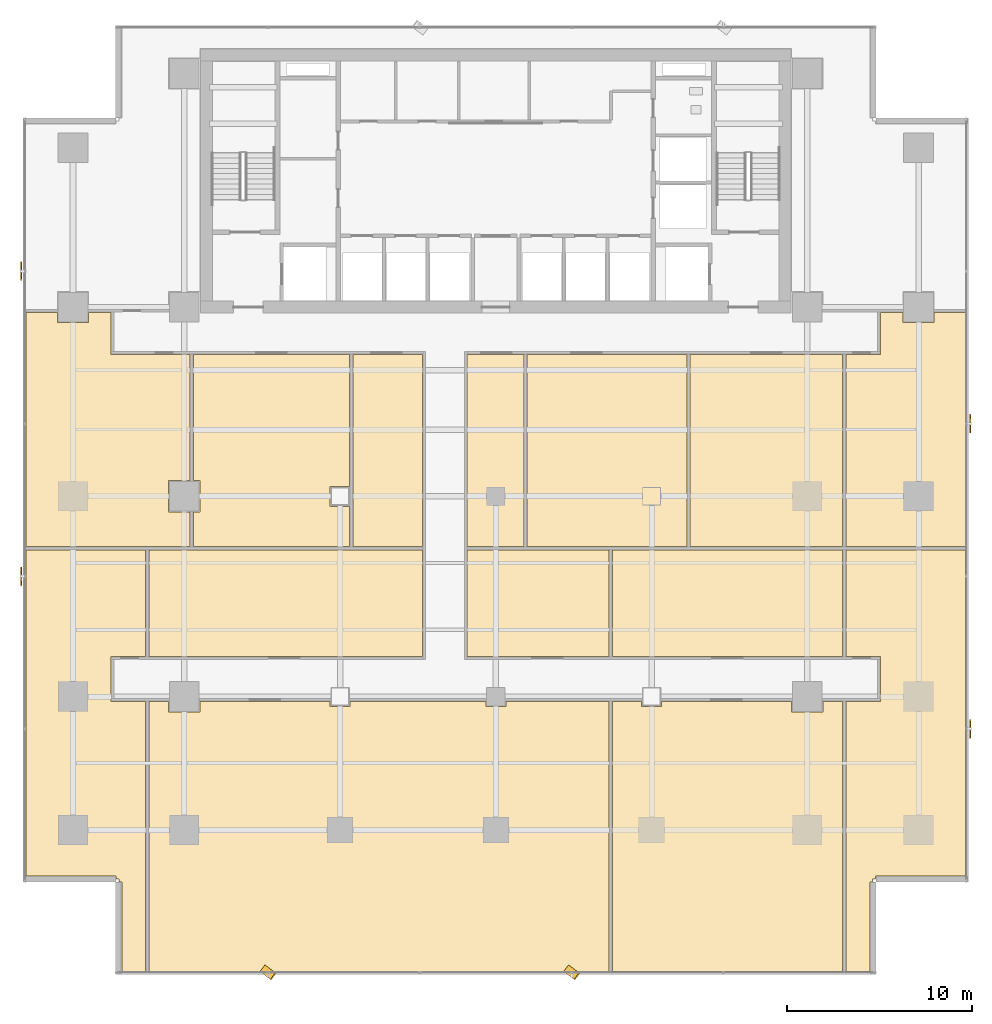
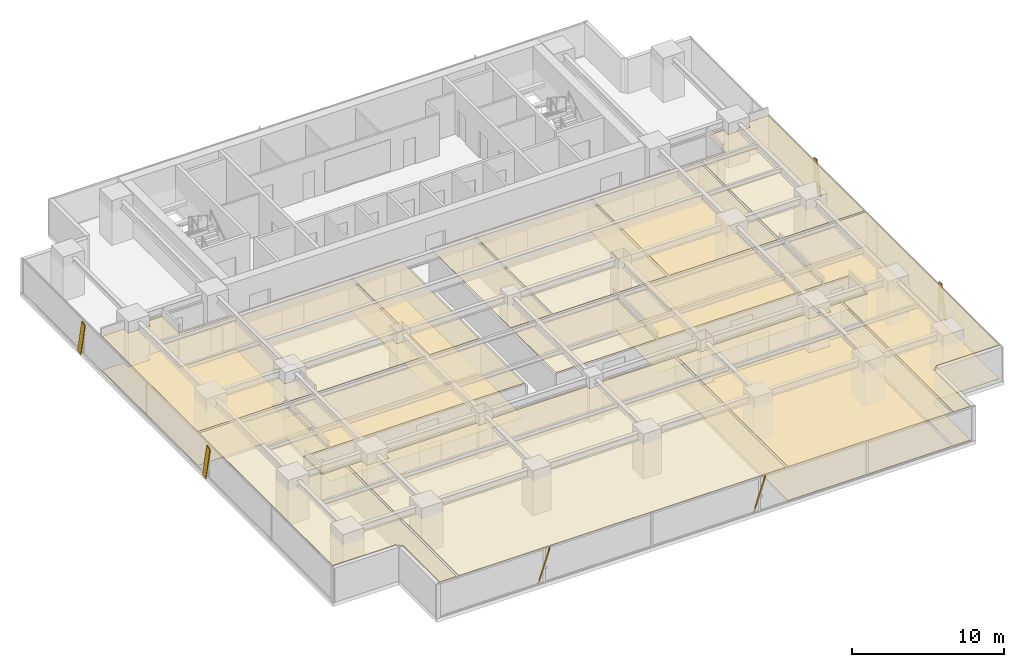
# One storey, part 32 of 36: 21 coverings, 6 shading devices.
"""IFC4 building model written with IfcOpenShell, lengths in metres."""

from ifc_helpers import new_model, si_unit, direction, frame, origin, origin_2d, place, context, subcontext, project, spatial, polyline, rectangle, outline, extrude, source, transform, mapped, material, layer, layer_set, material_profile, profile_set, type_object, element, save


model = new_model("IFC4")

# Units and contexts
model_context = context("Model", 3, precision=1e-05, world=origin(), true_north=direction((0.0, 1.0)))
body_context = subcontext(model_context, "Body", "Model", "MODEL_VIEW")
ifc_project = project(units=[si_unit("LENGTHUNIT", "METRE"), si_unit("AREAUNIT", "SQUARE_METRE"), si_unit("VOLUMEUNIT", "CUBIC_METRE"), si_unit("PLANEANGLEUNIT", "RADIAN"), si_unit("MASSUNIT", "GRAM", prefix="KILO")], contexts=[model_context])

# Site, building, storey
site_placement = place(None, origin())
site = spatial("IfcSite", under=ifc_project, at=site_placement, CompositionType="ELEMENT")
building_placement = place(site_placement, origin())
building = spatial("IfcBuilding", under=site, at=building_placement, Name="Sumidabori Civic Tower", CompositionType="ELEMENT")
storey_placement = place(building_placement, frame((0.0, 0.0, 77.60009765625)))
storey = spatial("IfcBuildingStorey", under=building, at=storey_placement, Name="L19", CompositionType="ELEMENT", Elevation=77.60009765625)

# Coverings
ifc_material_1 = material(Name="Perforated Timber Acoustic Ceiling", Category="wood")
ifc_layer_1 = layer(ifc_material_1, 0.044921875, Name="Perforated Timber Acoustic Ceiling")
ifc_layer_set_1 = layer_set([ifc_layer_1], Name="Perforated Timber Acoustic Ceiling")
covering_type_1 = type_object("IfcCoveringType", Name="CV-CEIL-AC2", PredefinedType="CEILING", material=ifc_layer_set_1)
covering_1_placement = place(storey_placement, frame((0.0, 0.0, 2.7099609375)))
element("IfcCovering", 1, at=covering_1_placement, inside=storey, type_object=covering_type_1, Name="Room Acoustic Ceiling L19-02", PredefinedType="CEILING", context=body_context, shape_type="SweptSolid", body=[
    extrude(outline(polyline([(18.887451171875, 7.64501953125), (20.7548828125, 7.64501953125), (20.7548828125, 9.91259765625), (21.9599609375, 9.91259765625), (21.9599609375, 9.360107421875), (23.639892578125, 9.360107421875), (23.639892578125, 9.91259765625), (25.330078125, 9.91259765625), (25.330078125, -2.71240234375), (18.887451171875, -2.71240234375), (18.887451171875, 7.64501953125)])), origin(), (0.0, 0.0, 1.0), 0.044921875),
])
covering_2_placement = place(storey_placement, frame((0.0, 0.0, 2.7099609375)))
element("IfcCovering", 2, at=covering_2_placement, inside=storey, type_object=covering_type_1, Name="Room Acoustic Ceiling L19-03", PredefinedType="CEILING", context=body_context, shape_type="SweptSolid", body=[
    extrude(outline(polyline([(-25.330078125, -2.71240234375), (-25.330078125, 9.91259765625), (-23.639892578125, 9.91259765625), (-23.639892578125, 9.360107421875), (-21.9599609375, 9.360107421875), (-21.9599609375, 9.91259765625), (-20.7548828125, 9.91259765625), (-20.7548828125, 7.64501953125), (-16.487548828125, 7.64501953125), (-16.487548828125, 0.840087890625), (-17.639892578125, 0.840087890625), (-17.639892578125, -0.840087890625), (-16.487548828125, -0.840087890625), (-16.487548828125, -2.71240234375), (-25.330078125, -2.71240234375)])), origin(), (0.0, 0.0, 1.0), 0.044921875),
])
covering_3_placement = place(storey_placement, frame((0.0, 0.0, 2.7099609375)))
element("IfcCovering", 3, at=covering_3_placement, inside=storey, type_object=covering_type_1, Name="Room Acoustic Ceiling L19-04", PredefinedType="CEILING", context=body_context, shape_type="SweptSolid", body=[
    extrude(outline(polyline([(-1.544921875, 7.64501953125), (1.512451171875, 7.64501953125), (1.512451171875, -2.71240234375), (-1.544921875, -2.71240234375), (-1.544921875, 7.64501953125)])), origin(), (0.0, 0.0, 1.0), 0.044921875),
])
covering_4_placement = place(storey_placement, frame((0.0, 0.0, 2.7099609375)))
element("IfcCovering", 4, at=covering_4_placement, inside=storey, type_object=covering_type_1, Name="Room Acoustic Ceiling L19-05", PredefinedType="CEILING", context=body_context, shape_type="SweptSolid", body=[
    extrude(outline(polyline([(10.487548828125, 7.64501953125), (18.71240234375, 7.64501953125), (18.71240234375, -2.71240234375), (10.487548828125, -2.71240234375), (10.487548828125, 7.64501953125)])), origin(), (0.0, 0.0, 1.0), 0.044921875),
])
covering_5_placement = place(storey_placement, frame((0.0, 0.0, 2.7099609375)))
element("IfcCovering", 5, at=covering_5_placement, inside=storey, type_object=covering_type_1, Name="Room Acoustic Ceiling L19-06", PredefinedType="CEILING", context=body_context, shape_type="SweptSolid", body=[
    extrude(outline(polyline([(-16.3125, -2.71240234375), (-16.3125, -0.840087890625), (-15.9599609375, -0.840087890625), (-15.9599609375, 0.840087890625), (-16.3125, 0.840087890625), (-16.3125, 7.64501953125), (-7.887451171875, 7.64501953125), (-7.887451171875, 0.5400390625), (-8.93994140625, 0.5400390625), (-8.93994140625, -0.5400390625), (-7.887451171875, -0.5400390625), (-7.887451171875, -2.71240234375), (-16.3125, -2.71240234375)])), origin(), (0.0, 0.0, 1.0), 0.044921875),
])
covering_6_placement = place(storey_placement, frame((0.0, 0.0, 2.7099609375)))
element("IfcCovering", 6, at=covering_6_placement, inside=storey, type_object=covering_type_1, Name="Room Acoustic Ceiling L19-07", PredefinedType="CEILING", context=body_context, shape_type="SweptSolid", body=[
    extrude(outline(polyline([(-7.71240234375, -2.71240234375), (-7.71240234375, 7.64501953125), (-3.955078125, 7.64501953125), (-3.955078125, -2.71240234375), (-7.71240234375, -2.71240234375)])), origin(), (0.0, 0.0, 1.0), 0.044921875),
])
covering_7_placement = place(storey_placement, frame((0.0, 0.0, 2.7099609375)))
element("IfcCovering", 7, at=covering_7_placement, inside=storey, type_object=covering_type_1, Name="Room Acoustic Ceiling L19-08", PredefinedType="CEILING", context=body_context, shape_type="SweptSolid", body=[
    extrude(outline(polyline([(1.6875, 7.64501953125), (10.3125, 7.64501953125), (10.3125, -2.71240234375), (1.6875, -2.71240234375), (1.6875, 7.64501953125)])), origin(), (0.0, 0.0, 1.0), 0.044921875),
])
covering_8_placement = place(storey_placement, frame((0.0, 0.0, 2.7099609375)))
element("IfcCovering", 8, at=covering_8_placement, inside=storey, type_object=covering_type_1, Name="Room Acoustic Ceiling L19-09", PredefinedType="CEILING", context=body_context, shape_type="SweptSolid", body=[
    extrude(outline(polyline([(-18.71240234375, -2.887451171875), (-3.955078125, -2.887451171875), (-3.955078125, -8.64501953125), (-18.71240234375, -8.64501953125), (-18.71240234375, -2.887451171875)])), origin(), (0.0, 0.0, 1.0), 0.044921875),
])
covering_9_placement = place(storey_placement, frame((0.0, 0.0, 2.7099609375)))
element("IfcCovering", 9, at=covering_9_placement, inside=storey, type_object=covering_type_1, Name="Room Acoustic Ceiling L19-10", PredefinedType="CEILING", context=body_context, shape_type="SweptSolid", body=[
    extrude(outline(polyline([(-1.544921875, -8.64501953125), (-1.544921875, -2.887451171875), (6.112548828125, -2.887451171875), (6.112548828125, -8.64501953125), (-1.544921875, -8.64501953125)])), origin(), (0.0, 0.0, 1.0), 0.044921875),
])
covering_10_placement = place(storey_placement, frame((0.0, 0.0, 2.7099609375)))
element("IfcCovering", 10, at=covering_10_placement, inside=storey, type_object=covering_type_1, Name="Room Acoustic Ceiling L19-11", PredefinedType="CEILING", context=body_context, shape_type="SweptSolid", body=[
    extrude(outline(polyline([(6.28759765625, -8.64501953125), (6.28759765625, -2.887451171875), (18.71240234375, -2.887451171875), (18.71240234375, -8.64501953125), (6.28759765625, -8.64501953125)])), origin(), (0.0, 0.0, 1.0), 0.044921875),
])
covering_11_placement = place(storey_placement, frame((0.0, 0.0, 2.7099609375)))
element("IfcCovering", 11, at=covering_11_placement, inside=storey, type_object=covering_type_1, Name="Room Acoustic Ceiling L19-12", PredefinedType="CEILING", context=body_context, shape_type="SweptSolid", body=[
    extrude(outline(polyline([(-25.330078125, -20.471923828125), (-25.330078125, -2.887451171875), (-18.887451171875, -2.887451171875), (-18.887451171875, -8.64501953125), (-20.73974609375, -8.64501953125), (-20.7548828125, -8.652587890625), (-20.7548828125, -11.054931640625), (-18.887451171875, -11.054931640625), (-18.887451171875, -25.6298828125), (-20.172119140625, -25.6298828125), (-20.172119140625, -20.7919921875), (-20.330078125, -20.7919921875), (-20.330078125, -20.6298828125), (-20.491943359375, -20.6298828125), (-20.491943359375, -20.471923828125), (-25.330078125, -20.471923828125)])), origin(), (0.0, 0.0, 1.0), 0.044921875),
])
covering_12_placement = place(storey_placement, frame((0.0, 0.0, 2.7099609375)))
element("IfcCovering", 12, at=covering_12_placement, inside=storey, type_object=covering_type_1, Name="Room Acoustic Ceiling L19-13", PredefinedType="CEILING", context=body_context, shape_type="SweptSolid", body=[
    extrude(outline(polyline([(18.887451171875, -11.054931640625), (20.7548828125, -11.054931640625), (20.7548828125, -8.652587890625), (20.73974609375, -8.64501953125), (18.887451171875, -8.64501953125), (18.887451171875, -2.887451171875), (25.330078125, -2.887451171875), (25.330078125, -20.471923828125), (20.491943359375, -20.471923828125), (20.491943359375, -20.6298828125), (20.330078125, -20.6298828125), (20.330078125, -20.7919921875), (20.172119140625, -20.7919921875), (20.172119140625, -25.6298828125), (18.887451171875, -25.6298828125), (18.887451171875, -11.054931640625)])), origin(), (0.0, 0.0, 1.0), 0.044921875),
])
covering_13_placement = place(storey_placement, frame((0.0, 0.0, 2.7099609375)))
element("IfcCovering", 13, at=covering_13_placement, inside=storey, type_object=covering_type_1, Name="Room Acoustic Ceiling L19-14", PredefinedType="CEILING", context=body_context, shape_type="SweptSolid", body=[
    extrude(outline(polyline([(-18.71240234375, -11.054931640625), (-17.639892578125, -11.054931640625), (-17.639892578125, -11.639892578125), (-15.9599609375, -11.639892578125), (-15.9599609375, -11.054931640625), (-8.93994140625, -11.054931640625), (-8.93994140625, -11.340087890625), (-7.860107421875, -11.340087890625), (-7.860107421875, -11.054931640625), (-0.5400390625, -11.054931640625), (-0.5400390625, -11.340087890625), (0.5400390625, -11.340087890625), (0.5400390625, -11.054931640625), (6.112548828125, -11.054931640625), (6.112548828125, -25.6298828125), (-18.71240234375, -25.6298828125), (-18.71240234375, -11.054931640625)])), origin(), (0.0, 0.0, 1.0), 0.044921875),
])
covering_14_placement = place(storey_placement, frame((0.0, 0.0, 2.7099609375)))
element("IfcCovering", 14, at=covering_14_placement, inside=storey, type_object=covering_type_1, Name="Room Acoustic Ceiling L19-15", PredefinedType="CEILING", context=body_context, shape_type="SweptSolid", body=[
    extrude(outline(polyline([(6.28759765625, -11.054931640625), (7.860107421875, -11.054931640625), (7.860107421875, -11.340087890625), (8.93994140625, -11.340087890625), (8.93994140625, -11.054931640625), (15.9599609375, -11.054931640625), (15.9599609375, -11.639892578125), (17.639892578125, -11.639892578125), (17.639892578125, -11.054931640625), (18.71240234375, -11.054931640625), (18.71240234375, -25.6298828125), (6.28759765625, -25.6298828125), (6.28759765625, -11.054931640625)])), origin(), (0.0, 0.0, 1.0), 0.044921875),
])
ifc_material_2 = material(Name="Honed Terrazzo Tile Flooring")
ifc_layer_2 = layer(ifc_material_2, 0.030029296875, Name="Honed Terrazzo Tile Flooring")
ifc_layer_set_2 = layer_set([ifc_layer_2], Name="Honed Terrazzo Tile Flooring")
covering_type_2 = type_object("IfcCoveringType", Name="CV-FLR-TER", PredefinedType="FLOORING", material=ifc_layer_set_2)
covering_15_placement = place(storey_placement, origin())
element("IfcCovering", 15, at=covering_15_placement, inside=storey, type_object=covering_type_2, Name="Room Terrazzo Floor L19-03", PredefinedType="FLOORING", context=body_context, shape_type="SweptSolid", body=[
    extrude(outline(polyline([(-25.330078125, -2.71240234375), (-25.330078125, 9.91259765625), (-23.639892578125, 9.91259765625), (-23.639892578125, 9.360107421875), (-21.9599609375, 9.360107421875), (-21.9599609375, 9.91259765625), (-20.7548828125, 9.91259765625), (-20.7548828125, 7.64501953125), (-16.487548828125, 7.64501953125), (-16.487548828125, 0.840087890625), (-17.639892578125, 0.840087890625), (-17.639892578125, -0.840087890625), (-16.487548828125, -0.840087890625), (-16.487548828125, -2.71240234375), (-25.330078125, -2.71240234375)])), origin(), (0.0, 0.0, 1.0), 0.02978515625),
])
covering_16_placement = place(storey_placement, origin())
element("IfcCovering", 16, at=covering_16_placement, inside=storey, type_object=covering_type_2, Name="Room Terrazzo Floor L19-05", PredefinedType="FLOORING", context=body_context, shape_type="SweptSolid", body=[
    extrude(outline(polyline([(10.487548828125, 7.64501953125), (18.71240234375, 7.64501953125), (18.71240234375, -2.71240234375), (10.487548828125, -2.71240234375), (10.487548828125, 7.64501953125)])), origin(), (0.0, 0.0, 1.0), 0.02978515625),
])
covering_17_placement = place(storey_placement, origin())
element("IfcCovering", 17, at=covering_17_placement, inside=storey, type_object=covering_type_2, Name="Room Terrazzo Floor L19-07", PredefinedType="FLOORING", context=body_context, shape_type="SweptSolid", body=[
    extrude(outline(polyline([(-7.71240234375, -2.71240234375), (-7.71240234375, 7.64501953125), (-3.955078125, 7.64501953125), (-3.955078125, -2.71240234375), (-7.71240234375, -2.71240234375)])), origin(), (0.0, 0.0, 1.0), 0.02978515625),
])
covering_18_placement = place(storey_placement, origin())
element("IfcCovering", 18, at=covering_18_placement, inside=storey, type_object=covering_type_2, Name="Room Terrazzo Floor L19-09", PredefinedType="FLOORING", context=body_context, shape_type="SweptSolid", body=[
    extrude(outline(polyline([(-18.71240234375, -2.887451171875), (-3.955078125, -2.887451171875), (-3.955078125, -8.64501953125), (-18.71240234375, -8.64501953125), (-18.71240234375, -2.887451171875)])), origin(), (0.0, 0.0, 1.0), 0.02978515625),
])
covering_19_placement = place(storey_placement, origin())
element("IfcCovering", 19, at=covering_19_placement, inside=storey, type_object=covering_type_2, Name="Room Terrazzo Floor L19-11", PredefinedType="FLOORING", context=body_context, shape_type="SweptSolid", body=[
    extrude(outline(polyline([(6.28759765625, -8.64501953125), (6.28759765625, -2.887451171875), (18.71240234375, -2.887451171875), (18.71240234375, -8.64501953125), (6.28759765625, -8.64501953125)])), origin(), (0.0, 0.0, 1.0), 0.02978515625),
])
covering_20_placement = place(storey_placement, origin())
element("IfcCovering", 20, at=covering_20_placement, inside=storey, type_object=covering_type_2, Name="Room Terrazzo Floor L19-13", PredefinedType="FLOORING", context=body_context, shape_type="SweptSolid", body=[
    extrude(outline(polyline([(18.887451171875, -11.054931640625), (20.7548828125, -11.054931640625), (20.7548828125, -8.652587890625), (20.73974609375, -8.64501953125), (18.887451171875, -8.64501953125), (18.887451171875, -2.887451171875), (25.330078125, -2.887451171875), (25.330078125, -20.471923828125), (20.491943359375, -20.471923828125), (20.491943359375, -20.6298828125), (20.330078125, -20.6298828125), (20.330078125, -20.7919921875), (20.172119140625, -20.7919921875), (20.172119140625, -25.6298828125), (18.887451171875, -25.6298828125), (18.887451171875, -11.054931640625)])), origin(), (0.0, 0.0, 1.0), 0.02978515625),
])
covering_21_placement = place(storey_placement, origin())
element("IfcCovering", 21, at=covering_21_placement, inside=storey, type_object=covering_type_2, Name="Room Terrazzo Floor L19-15", PredefinedType="FLOORING", context=body_context, shape_type="SweptSolid", body=[
    extrude(outline(polyline([(6.28759765625, -11.054931640625), (7.860107421875, -11.054931640625), (7.860107421875, -11.340087890625), (8.93994140625, -11.340087890625), (8.93994140625, -11.054931640625), (15.9599609375, -11.054931640625), (15.9599609375, -11.639892578125), (17.639892578125, -11.639892578125), (17.639892578125, -11.054931640625), (18.71240234375, -11.054931640625), (18.71240234375, -25.6298828125), (6.28759765625, -25.6298828125), (6.28759765625, -11.054931640625)])), origin(), (0.0, 0.0, 1.0), 0.02978515625),
])

# Shading devices
ifc_material_3 = material(Name="Anodised Bronze Aluminium AW-6063-T6", Category="aluminium")
ifc_material_profile = material_profile(ifc_material_3, rectangle(XDim=0.06005859375, YDim=0.449951171875, at=origin_2d()), Name="BRONZE FIN 450x60")
ifc_profile_set = profile_set([ifc_material_profile], Name="Anodised Bronze Aluminium AW-6063-T6")
shading_device_type = type_object("IfcShadingDeviceType", Name="SH-FIN-450", PredefinedType="USERDEFINED", material=ifc_profile_set)
shared_shape_1 = source(origin(), body_context, "Body", "SweptSolid", [
    extrude(rectangle(XDim=0.06005859375, YDim=0.449951171875, at=origin_2d()), origin(), (0.0, 0.0, 1.0), 2.769775390625),
])
for number, where, z_axis, x_axis, name in (
    (22, (-12.56201171875, -25.469970703125, 0.02001953125), (0.202198633998, -0.151604904305, 0.967538973582), (0.774112159528, -0.58041539424, -0.252721852241), "Bronze Anodised Diagonal Fin L19-01"),
    (23, (3.81396484375, -25.469970703125, 0.02001953125), (0.202198633998, -0.151604904305, 0.967538973582), (0.774112159528, -0.58041539424, -0.252721852241), "Bronze Anodised Diagonal Fin L19-03"),
):
    element("IfcShadingDevice", number, at=place(storey_placement, frame(where, z_axis=z_axis, x_axis=x_axis)), inside=storey, type_object=shading_device_type, Name=name, ObjectType="FIN", PredefinedType="USERDEFINED", context=body_context, shape_type="MappedRepresentation", body=[
        mapped(shared_shape_1, transform((0.0, 0.0, 0.0), x_axis=(1.0, 0.0, 0.0), y_axis=(0.0, 1.0, 0.0), z_axis=(0.0, 0.0, 1.0), scale=1.0)),
    ])
shared_shape_2 = source(origin(), body_context, "Body", "SweptSolid", [
    extrude(rectangle(XDim=0.06005859375, YDim=0.449951171875, at=origin_2d()), origin(), (0.0, 0.0, 1.0), 2.73779296875),
])
for number, where, z_axis, x_axis, name in (
    (24, (25.590087890625, -12.822021484375, 0.02001953125), (0.0, 0.204563143937, 0.978853370093), (-1.0, 0.0, 0.0), "Bronze Anodised Diagonal Fin L19-01"),
    (25, (25.590087890625, 3.634033203125, 0.02001953125), (0.0, 0.204563143937, 0.978853370093), (-1.0, 0.0, 0.0), "Bronze Anodised Diagonal Fin L19-03"),
    (26, (-25.590087890625, 12.422119140625, 0.02001953125), (0.0, -0.204563143937, 0.978853370093), (-1.0, 0.0, 0.0), "Bronze Anodised Diagonal Fin L19-01"),
    (27, (-25.590087890625, -4.033935546875, 0.02001953125), (0.0, -0.204563143937, 0.978853370093), (-1.0, 0.0, 0.0), "Bronze Anodised Diagonal Fin L19-03"),
):
    element("IfcShadingDevice", number, at=place(storey_placement, frame(where, z_axis=z_axis, x_axis=x_axis)), inside=storey, type_object=shading_device_type, Name=name, ObjectType="FIN", PredefinedType="USERDEFINED", context=body_context, shape_type="MappedRepresentation", body=[
        mapped(shared_shape_2, transform((0.0, 0.0, 0.0), x_axis=(1.0, 0.0, 0.0), y_axis=(0.0, 1.0, 0.0), z_axis=(0.0, 0.0, 1.0), scale=1.0)),
    ])

save(model, "model.ifc")
